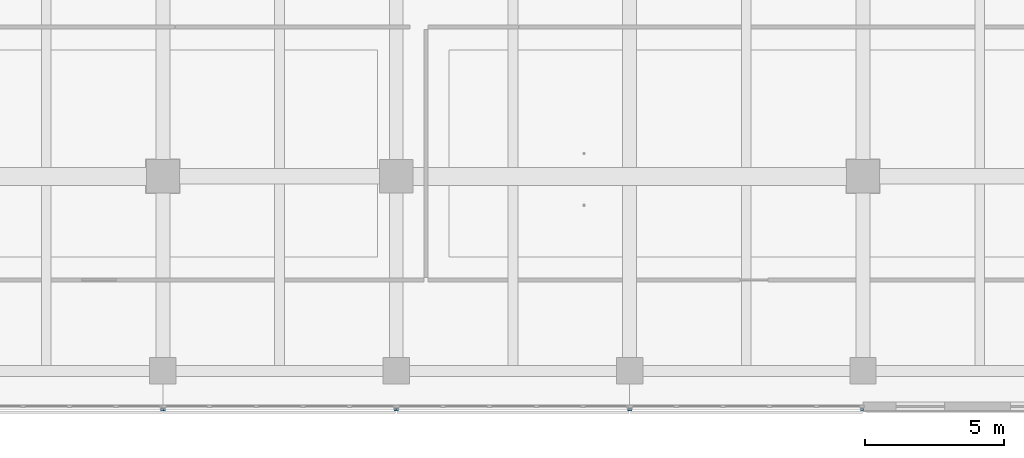
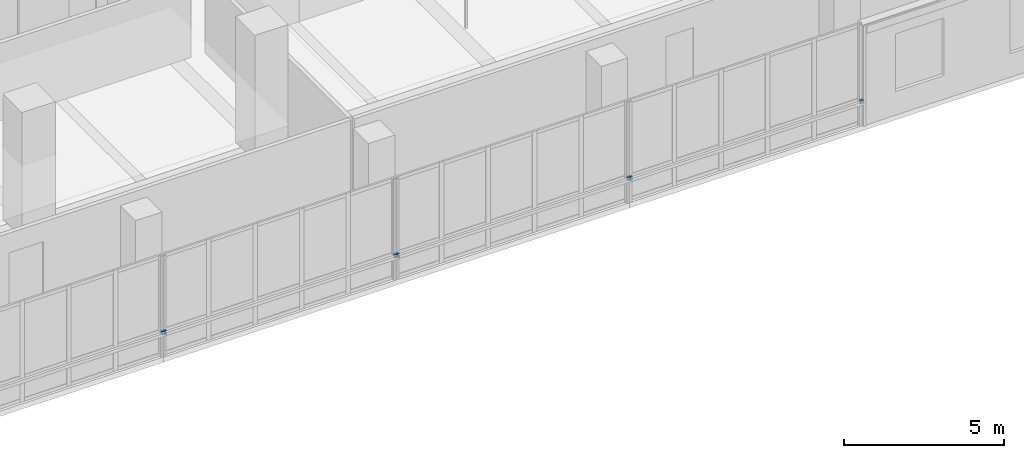
# One storey, part 79 of 128: 7 discrete accessories.
"""IFC4 building model written with IfcOpenShell, lengths in metres."""

import ifcopenshell
import ifcopenshell.guid

model = None  # the IFC model being written
_history = None  # IfcOwnerHistory: only IFC2X3 demands one
_inside = {}  # id of a spatial element -> (the spatial element, [elements in it])
_under = {}  # id of a project, library or spatial element -> (it, [spatial elements below it])
_declared = {}  # id of a project -> (the project, [libraries it declares])
_typed = {}  # id of a type object -> (the type object, [elements of that type])
_made_of = {}  # id of a material, layer set ... -> (it, [elements and type objects made of it])


def new_model(schema):
    """Start an empty IFC model of exactly this schema.

    Asked for "IFC4X3", IfcOpenShell would pick the latest addendum, in which some entities
    have other attributes; the version numbers below select the first issue.
    IFC2X3 requires an IfcOwnerHistory on every rooted entity: one is made here for all.
    """
    global model, _history
    if schema == "IFC4X3":
        model = ifcopenshell.file(schema_version=(4, 3, 0, 0))
    else:
        model = ifcopenshell.file(schema=schema)
    _inside.clear()
    _under.clear()
    _declared.clear()
    _typed.clear()
    _made_of.clear()
    _history = None
    if model.schema == "IFC2X3":
        org = make("IfcOrganization", Name="unknown")
        user = make(
            "IfcPersonAndOrganization",
            ThePerson=make("IfcPerson", FamilyName="unknown"),
            TheOrganization=org,
        )
        app = make(
            "IfcApplication",
            ApplicationDeveloper=org,
            Version="unknown",
            ApplicationFullName="unknown",
            ApplicationIdentifier="unknown",
        )
        _history = make(
            "IfcOwnerHistory",
            OwningUser=user,
            OwningApplication=app,
            ChangeAction="ADDED",
            CreationDate=0,
        )
    return model


def make(cls, **values):
    """One entity of the class cls with the attributes given. An attribute that is None is left unset."""
    return model.create_entity(
        cls, **{name: value for name, value in values.items() if value is not None}
    )


def rooted(cls, **values):
    """An entity with a GlobalId (a new one), such as an element, a storey or a relation."""
    return make(cls, GlobalId=ifcopenshell.guid.new(), OwnerHistory=_history, **values)


def si_unit(unit_type, name, prefix=None):
    """IfcSIUnit, for example si_unit("LENGTHUNIT", "METRE", prefix="MILLI")."""
    return make("IfcSIUnit", UnitType=unit_type, Prefix=prefix, Name=name)


def assignment(units):
    """IfcUnitAssignment: the units of a project."""
    return None if units is None else make("IfcUnitAssignment", Units=units)


def point(xyz):
    """IfcCartesianPoint."""
    return None if xyz is None else make("IfcCartesianPoint", Coordinates=xyz)


def direction(xyz):
    """IfcDirection."""
    return None if xyz is None else make("IfcDirection", DirectionRatios=xyz)


def frame(location, z_axis=None, x_axis=None):
    """IfcAxis2Placement3D, a coordinate frame: its origin and axes. An axis left out is left unset."""
    return make(
        "IfcAxis2Placement3D",
        Location=point(location),
        Axis=direction(z_axis),
        RefDirection=direction(x_axis),
    )


def frame_2d(location, x_axis=None):
    """IfcAxis2Placement2D, a coordinate frame in the plane: its origin and x axis."""
    return make(
        "IfcAxis2Placement2D", Location=point(location), RefDirection=direction(x_axis)
    )


def origin():
    """The frame at (0, 0, 0) with its axes left unset."""
    return frame((0.0, 0.0, 0.0))


def origin_2d():
    """The frame at (0, 0) in the plane with its x axis left unset."""
    return frame_2d((0.0, 0.0))


def place(relative_to, where):
    """IfcLocalPlacement: puts the frame where relative to a parent placement (None: the world)."""
    return make(
        "IfcLocalPlacement", PlacementRelTo=relative_to, RelativePlacement=where
    )


def context(
    kind, dimensions, precision=None, world=None, true_north=None, identifier=None
):
    """IfcGeometricRepresentationContext, for example the 3D "Model" context."""
    return make(
        "IfcGeometricRepresentationContext",
        ContextIdentifier=identifier,
        ContextType=kind,
        CoordinateSpaceDimension=dimensions,
        Precision=precision,
        WorldCoordinateSystem=world,
        TrueNorth=true_north,
    )


def subcontext(parent, identifier, kind, view, scale=None):
    """IfcGeometricRepresentationSubContext, for example "Body" below "Model"."""
    return make(
        "IfcGeometricRepresentationSubContext",
        ContextIdentifier=identifier,
        ContextType=kind,
        ParentContext=parent,
        TargetScale=scale,
        TargetView=view,
    )


def project(units=None, contexts=None):
    """IfcProject with its units and contexts."""
    return rooted(
        "IfcProject",
        Name="project",
        RepresentationContexts=contexts,
        UnitsInContext=assignment(units),
    )


def spatial(cls, under=None, at=None, **own):
    """A site, building, storey or space (cls), placed at a placement, below another one or the project."""
    s = rooted(cls, ObjectPlacement=at, **own)
    if under is not None:
        _under.setdefault(under.id(), (under, []))[1].append(s)
    return s


def profile(cls, at=None, kind="AREA", **sizes):
    """A parametric profile (cls). Its sizes go by their IFC names, for example OverallWidth=200.0."""
    return make(cls, ProfileType=kind, Position=at, **sizes)


def rectangle(**sizes):
    """IfcRectangleProfileDef."""
    return profile("IfcRectangleProfileDef", **sizes)


def extrude(swept, where, along, depth):
    """IfcExtrudedAreaSolid: the profile swept, set in the frame where, extruded along a direction by depth."""
    return make(
        "IfcExtrudedAreaSolid",
        SweptArea=swept,
        Position=where,
        ExtrudedDirection=direction(along),
        Depth=depth,
    )


def shape(context_of_items, identifier, shape_type, items):
    """IfcShapeRepresentation: the items that make up one representation, for example the "Body"."""
    return make(
        "IfcShapeRepresentation",
        ContextOfItems=context_of_items,
        RepresentationIdentifier=identifier,
        RepresentationType=shape_type,
        Items=items,
    )


def material(Name=None, Category=None):
    """IfcMaterial."""
    return make("IfcMaterial", Name=Name, Category=Category)


def made_of(thing, what):
    """Note that an element or type object is made of a material, layer set ...; save() writes the relation."""
    if what is not None:
        _made_of.setdefault(what.id(), (what, []))[1].append(thing)
    return thing


def type_object(cls, material=None, **own):
    """A type object (cls), such as IfcWallType, which elements share."""
    return made_of(rooted(cls, **own), material)


def element(
    cls,
    number,
    at=None,
    inside=None,
    cuts=None,
    type_object=None,
    material=None,
    context=None,
    identifier="Body",
    shape_type=None,
    held_by="IfcProductDefinitionShape",
    body=None,
    shapes=None,
    **own,
):
    """One element of the class cls, such as IfcWall. Its Tag is "e" and its number.

    at: its placement. inside: the storey or other place that contains it. cuts: it is an
    opening in that element (IfcRelVoidsElement). A single representation is given by context,
    identifier, shape_type and body (its items); several are given by shapes. held_by: the class
    of the entity that holds the representations. save() writes the other relations.
    """
    e = rooted(cls, Tag="e%d" % number, ObjectPlacement=at, **own)
    if body is not None:
        shapes = [shape(context, identifier, shape_type, body)]
    if shapes is not None:
        e.Representation = make(held_by, Representations=shapes)
    if inside is not None:
        _inside.setdefault(inside.id(), (inside, []))[1].append(e)
    if cuts is not None:
        rooted(
            "IfcRelVoidsElement", RelatingBuildingElement=cuts, RelatedOpeningElement=e
        )
    if type_object is not None:
        _typed.setdefault(type_object.id(), (type_object, []))[1].append(e)
    return made_of(e, material)


def aggregate(whole, parts):
    """IfcRelAggregates: a whole, such as a stair, and the parts it consists of."""
    return rooted("IfcRelAggregates", RelatingObject=whole, RelatedObjects=parts)


def save(model, path):
    """Write the relations noted so far, then the file.

    IfcRelAggregates (storeys below a building ...), IfcRelContainedInSpatialStructure (elements
    in a storey), IfcRelDefinesByType, IfcRelAssociatesMaterial and IfcRelDeclares: one each for
    every whole, place, type object, material and project.
    """
    for whole, parts in _under.values():
        aggregate(whole, parts)
    for where, things in _inside.values():
        rooted(
            "IfcRelContainedInSpatialStructure",
            RelatedElements=things,
            RelatingStructure=where,
        )
    for kind, things in _typed.values():
        rooted("IfcRelDefinesByType", RelatedObjects=things, RelatingType=kind)
    for what, things in _made_of.values():
        rooted("IfcRelAssociatesMaterial", RelatedObjects=things, RelatingMaterial=what)
    for by, libraries in _declared.values():
        rooted("IfcRelDeclares", RelatingContext=by, RelatedDefinitions=libraries)
    model.write(path)


model = new_model("IFC4")

# Units and contexts
model_context = context("Model", 3, precision=1e-05, world=origin(), true_north=direction((0.0, 1.0)))
body_context = subcontext(model_context, "Body", "Model", "MODEL_VIEW")
ifc_project = project(units=[si_unit("LENGTHUNIT", "METRE"), si_unit("AREAUNIT", "SQUARE_METRE"), si_unit("VOLUMEUNIT", "CUBIC_METRE"), si_unit("PLANEANGLEUNIT", "RADIAN"), si_unit("MASSUNIT", "GRAM", prefix="KILO")], contexts=[model_context])

# Site, building, storey
site_placement = place(None, origin())
site = spatial("IfcSite", under=ifc_project, at=site_placement, CompositionType="ELEMENT")
building_placement = place(site_placement, origin())
building = spatial("IfcBuilding", under=site, at=building_placement, Name="Telukmera Botanical Conservatory", CompositionType="ELEMENT")
storey_placement = place(building_placement, frame((0.0, 0.0, 5.39990234375)))
storey = spatial("IfcBuildingStorey", under=building, at=storey_placement, Name="L01", CompositionType="ELEMENT", Elevation=5.39990234375)

# Discrete accessories
ifc_material = material(Name="Steel S355", Category="steel")
discrete_accessory_type = type_object("IfcDiscreteAccessoryType", Name="Structural Steel Facade Outrigger Fin Bracket", PredefinedType="BRACKET", material=ifc_material)
for number, where, z_axis, x_axis, name in (
    (1, (75.5654296875, 9.195068359375, 0.88037109375), (0.0, 0.0, 1.0), (1.0, 0.0, 0.0), "Facade Outrigger Bracket V4:L01:S3 B"),
    (2, (75.634521484375, 9.195068359375, 0.88037109375), (0.0, 0.0, 1.0), (1.0, 0.0, 0.0), "Facade Outrigger Bracket V4:L01:S4 A"),
    (3, (83.965576171875, 9.195068359375, 0.88037109375), (0.0, 0.0, 1.0), (1.0, 0.0, 0.0), "Facade Outrigger Bracket V4:L01:S4 B"),
    (4, (84.034423828125, 9.195068359375, 0.88037109375), (0.0, 0.0, 1.0), (1.0, 0.0, 0.0), "Facade Outrigger Bracket V4:L01:S5 A"),
    (5, (92.365478515625, 9.195068359375, 0.88037109375), (0.0, 0.0, 1.0), (1.0, 0.0, 0.0), "Facade Outrigger Bracket V4:L01:S5 B"),
    (6, (92.4345703125, 9.195068359375, 0.88037109375), (0.0, 0.0, 1.0), (1.0, 0.0, 0.0), "Facade Outrigger Bracket V4:L01:S6 A"),
    (7, (100.765380859375, 9.195068359375, 0.88037109375), (0.0, 0.0, 1.0), (1.0, 0.0, 0.0), "Facade Outrigger Bracket V4:L01:S6 B"),
):
    element("IfcDiscreteAccessory", number, at=place(storey_placement, frame(where, z_axis=z_axis, x_axis=x_axis)), inside=storey, type_object=discrete_accessory_type, Name=name, PredefinedType="BRACKET", context=body_context, shape_type="SweptSolid", body=[
        extrude(rectangle(XDim=0.10009765625, YDim=0.090087890625, at=origin_2d()), origin(), (0.0, 0.0, 1.0), 0.139892578125),
    ])

save(model, "model.ifc")
